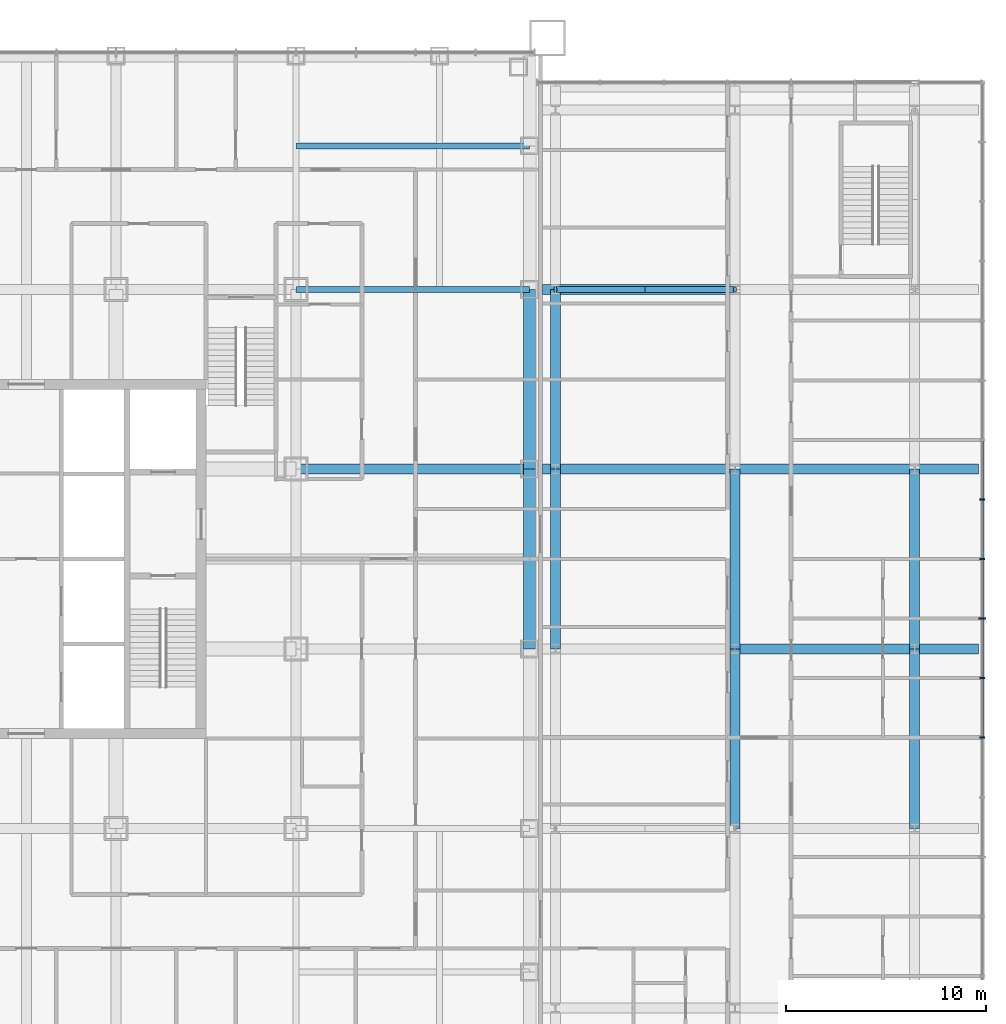
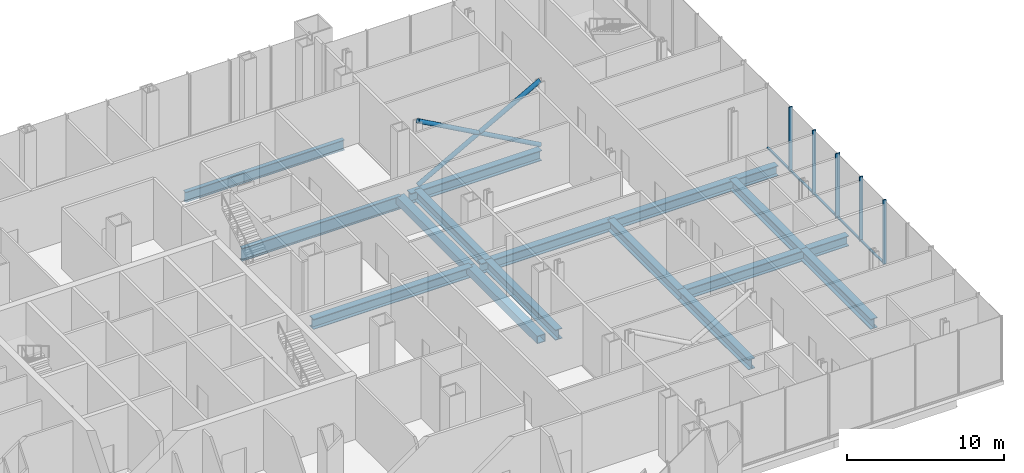
# One storey, part 8 of 25: 15 beams, 12 members, 1 element without a shape of its own.
"""IFC4 building model written with IfcOpenShell, lengths in metres."""

from ifc_helpers import new_model, si_unit, direction, frame, origin, origin_2d, place, context, subcontext, project, spatial, rectangle, hollow_rectangle, hollow_circle, i_section, extrude, material, layer, layer_set, material_profile, profile_set, type_object, element, aggregate, save


model = new_model("IFC4")

# Units and contexts
model_context = context("Model", 3, precision=1e-05, world=origin(), true_north=direction((0.0, 1.0)))
body_context = subcontext(model_context, "Body", "Model", "MODEL_VIEW")
ifc_project = project(units=[si_unit("LENGTHUNIT", "METRE"), si_unit("AREAUNIT", "SQUARE_METRE"), si_unit("VOLUMEUNIT", "CUBIC_METRE"), si_unit("PLANEANGLEUNIT", "RADIAN"), si_unit("MASSUNIT", "GRAM", prefix="KILO")], contexts=[model_context])

# Site, building, storey
site_placement = place(None, origin())
site = spatial("IfcSite", under=ifc_project, at=site_placement, CompositionType="ELEMENT")
building_placement = place(site_placement, origin())
building = spatial("IfcBuilding", under=site, at=building_placement, Name="Malebo Sky Hospital", CompositionType="ELEMENT")
storey_placement = place(building_placement, frame((0.0, 0.0, 6.0)))
storey = spatial("IfcBuildingStorey", under=building, at=storey_placement, Name="L01", CompositionType="ELEMENT", Elevation=6.0)

# Curtain wall, members
ifc_material_1 = material(Name="Anodised aluminium, natural silver", Category="aluminium")
ifc_layer = layer(ifc_material_1, 0.25)
ifc_layer_set = layer_set([ifc_layer], Name="PODIUM CURTAIN WALL")
curtain_wall_type = type_object("IfcCurtainWallType", Name="PODIUM CURTAIN WALL", PredefinedType="NOTDEFINED", material=ifc_layer_set)
curtain_wall_placement = place(storey_placement, origin())
curtain_wall = element("IfcCurtainWall", 1, at=curtain_wall_placement, inside=storey, type_object=curtain_wall_type, Name="POD curtain wall EE", PredefinedType="NOTDEFINED")
ifc_material_profile_1 = material_profile(ifc_material_1, rectangle(XDim=0.14990234375, YDim=0.10009765625, at=origin_2d()), Name="ALUMINIUM TRANSOM 150x100")
ifc_profile_set_1 = profile_set([ifc_material_profile_1], Name="Anodised aluminium, natural silver")
member_type_1 = type_object("IfcMemberType", Name="ALUMINIUM TRANSOM 150x100", PredefinedType="USERDEFINED", material=ifc_profile_set_1)
member_1_placement = place(storey_placement, frame((107.875, 53.08447265625, 0.050048828125), z_axis=(0.0, 1.0, 0.0), x_axis=(-1.0, 0.0, 0.0)))
member_1 = element("IfcMember", 2, at=member_1_placement, type_object=member_type_1, Name="Transom 6", ObjectType="TRANSOM", PredefinedType="USERDEFINED", context=body_context, shape_type="SweptSolid", body=[
    extrude(rectangle(XDim=0.14990234375, YDim=0.10009765625, at=origin_2d()), origin(), (0.0, 0.0, 1.0), 2.9091796875),
])
member_2_placement = place(storey_placement, frame((107.875, 56.068603515625, 0.050048828125), z_axis=(0.0, 1.0, 0.0), x_axis=(-1.0, 0.0, 0.0)))
member_2 = element("IfcMember", 3, at=member_2_placement, type_object=member_type_1, Name="Transom 7", ObjectType="TRANSOM", PredefinedType="USERDEFINED", context=body_context, shape_type="SweptSolid", body=[
    extrude(rectangle(XDim=0.14990234375, YDim=0.10009765625, at=origin_2d()), origin(), (0.0, 0.0, 1.0), 2.909423828125),
])
member_3_placement = place(storey_placement, frame((107.875, 59.052978515625, 0.050048828125), z_axis=(0.0, 1.0, 0.0), x_axis=(-1.0, 0.0, 0.0)))
member_3 = element("IfcMember", 4, at=member_3_placement, type_object=member_type_1, Name="Transom 8", ObjectType="TRANSOM", PredefinedType="USERDEFINED", context=body_context, shape_type="SweptSolid", body=[
    extrude(rectangle(XDim=0.14990234375, YDim=0.10009765625, at=origin_2d()), origin(), (0.0, 0.0, 1.0), 2.909423828125),
])
member_4_placement = place(storey_placement, frame((107.875, 62.03759765625, 0.050048828125), z_axis=(0.0, 1.0, 0.0), x_axis=(-1.0, 0.0, 0.0)))
member_4 = element("IfcMember", 5, at=member_4_placement, type_object=member_type_1, Name="Transom 9", ObjectType="TRANSOM", PredefinedType="USERDEFINED", context=body_context, shape_type="SweptSolid", body=[
    extrude(rectangle(XDim=0.14990234375, YDim=0.10009765625, at=origin_2d()), origin(), (0.0, 0.0, 1.0), 2.909423828125),
])
member_5_placement = place(storey_placement, frame((107.875, 65.02197265625, 0.050048828125), z_axis=(0.0, 1.0, 0.0), x_axis=(-1.0, 0.0, 0.0)))
member_5 = element("IfcMember", 6, at=member_5_placement, type_object=member_type_1, Name="Transom 10", ObjectType="TRANSOM", PredefinedType="USERDEFINED", context=body_context, shape_type="SweptSolid", body=[
    extrude(rectangle(XDim=0.14990234375, YDim=0.10009765625, at=origin_2d()), origin(), (0.0, 0.0, 1.0), 2.909423828125),
])
ifc_material_profile_2 = material_profile(ifc_material_1, rectangle(XDim=0.074951171875, YDim=0.25, at=origin_2d()), Name="CW3 ALUMINIUM FIN MULLION 75x250")
ifc_profile_set_2 = profile_set([ifc_material_profile_2], Name="Anodised aluminium, natural silver")
member_type_2 = type_object("IfcMemberType", Name="CW3 ALUMINIUM FIN MULLION 75x250", PredefinedType="MULLION", material=ifc_profile_set_2)
member_6_placement = place(storey_placement, frame((107.875, 53.046875, 0.0), z_axis=(0.0, 0.0, 1.0), x_axis=(0.0, 1.0, 0.0)))
member_6 = element("IfcMember", 7, at=member_6_placement, type_object=member_type_2, Name="Fin mullion 6", PredefinedType="MULLION", context=body_context, shape_type="SweptSolid", body=[
    extrude(rectangle(XDim=0.074951171875, YDim=0.25, at=origin_2d()), origin(), (0.0, 0.0, 1.0), 5.0),
])
member_7_placement = place(storey_placement, frame((107.875, 56.03125, 0.0), z_axis=(0.0, 0.0, 1.0), x_axis=(0.0, 1.0, 0.0)))
member_7 = element("IfcMember", 8, at=member_7_placement, type_object=member_type_2, Name="Fin mullion 7", PredefinedType="MULLION", context=body_context, shape_type="SweptSolid", body=[
    extrude(rectangle(XDim=0.074951171875, YDim=0.25, at=origin_2d()), origin(), (0.0, 0.0, 1.0), 5.0),
])
member_8_placement = place(storey_placement, frame((107.875, 62.0, 0.0), z_axis=(0.0, 0.0, 1.0), x_axis=(0.0, 1.0, 0.0)))
member_8 = element("IfcMember", 9, at=member_8_placement, type_object=member_type_2, Name="Fin mullion 9", PredefinedType="MULLION", context=body_context, shape_type="SweptSolid", body=[
    extrude(rectangle(XDim=0.074951171875, YDim=0.25, at=origin_2d()), origin(), (0.0, 0.0, 1.0), 5.0),
])
member_9_placement = place(storey_placement, frame((107.875, 64.984375, 0.0), z_axis=(0.0, 0.0, 1.0), x_axis=(0.0, 1.0, 0.0)))
member_9 = element("IfcMember", 10, at=member_9_placement, type_object=member_type_2, Name="Fin mullion 10", PredefinedType="MULLION", context=body_context, shape_type="SweptSolid", body=[
    extrude(rectangle(XDim=0.074951171875, YDim=0.25, at=origin_2d()), origin(), (0.0, 0.0, 1.0), 5.0),
])
ifc_material_profile_3 = material_profile(ifc_material_1, rectangle(XDim=0.074951171875, YDim=0.35009765625, at=origin_2d()), Name="CW3 ALUMINIUM FIN MULLION 75x350")
ifc_profile_set_3 = profile_set([ifc_material_profile_3], Name="Anodised aluminium, natural silver")
member_type_3 = type_object("IfcMemberType", Name="CW3 ALUMINIUM FIN MULLION 75x350", PredefinedType="MULLION", material=ifc_profile_set_3)
member_10_placement = place(storey_placement, frame((107.875, 59.015625, 0.0), z_axis=(0.0, 0.0, 1.0), x_axis=(0.0, 1.0, 0.0)))
member_10 = element("IfcMember", 11, at=member_10_placement, type_object=member_type_3, Name="Fin mullion 8", PredefinedType="MULLION", context=body_context, shape_type="SweptSolid", body=[
    extrude(rectangle(XDim=0.074951171875, YDim=0.35009765625, at=origin_2d()), origin(), (0.0, 0.0, 1.0), 5.0),
])
aggregate(curtain_wall, [member_6, member_7, member_10, member_8, member_9, member_1, member_2, member_3, member_4, member_5])

# Beams
ifc_material_2 = material(Name="Steel S460", Category="steel")
ifc_material_profile_4 = material_profile(ifc_material_2, hollow_rectangle(XDim=0.60009765625, YDim=0.60009765625, WallThickness=0.0400390625, at=origin_2d()), Name="BOX 600x600x40")
ifc_profile_set_4 = profile_set([ifc_material_profile_4], Name="Steel S460")
beam_type_1 = type_object("IfcBeamType", Name="EDGE BEAM BOX 600x600x40", PredefinedType="BEAM", material=ifc_profile_set_4)
for number, where, z_axis, x_axis, name in (
    (12, (85.199951171875, 57.5, -0.60009765625), (0.0, 1.0, 0.0), (-1.0, 0.0, 0.0), "Beam 034 L01"),
    (13, (85.199951171875, 66.5, -0.60009765625), (0.0, 1.0, 0.0), (-1.0, 0.0, 0.0), "Beam 035 L01"),
):
    element("IfcBeam", number, at=place(storey_placement, frame(where, z_axis=z_axis, x_axis=x_axis)), inside=storey, type_object=beam_type_1, Name=name, PredefinedType="BEAM", context=body_context, shape_type="SweptSolid", body=[
        extrude(hollow_rectangle(XDim=0.60009765625, YDim=0.60009765625, WallThickness=0.0400390625, at=origin_2d()), origin(), (0.0, 0.0, 1.0), 9.0),
    ])
ifc_material_3 = material(Name="Steel S355", Category="steel")
ifc_material_profile_5 = material_profile(ifc_material_3, i_section(OverallWidth=0.300048828125, OverallDepth=0.800048828125, WebThickness=0.017578125, FlangeThickness=0.032958984375, FilletRadius=0.030029296875, at=origin_2d()), Name="HEB 800")
ifc_profile_set_5 = profile_set([ifc_material_profile_5], Name="Steel S355")
beam_type_2 = type_object("IfcBeamType", Name="FLOOR BEAM HEB 800", PredefinedType="BEAM", material=ifc_profile_set_5)
beam_1_placement = place(storey_placement, frame((73.5, 82.699951171875, -0.699951171875), z_axis=(1.0, 0.0, 0.0), x_axis=(0.0, 1.0, 0.0)))
element("IfcBeam", 14, at=beam_1_placement, inside=storey, type_object=beam_type_2, Name="Beam 068 L01", PredefinedType="BEAM", context=body_context, shape_type="SweptSolid", body=[
    extrude(i_section(OverallWidth=0.300048828125, OverallDepth=0.800048828125, WebThickness=0.017578125, FlangeThickness=0.032958984375, FilletRadius=0.030029296875, at=origin_2d()), origin(), (0.0, 0.0, 1.0), 11.699951171875),
])
ifc_material_profile_6 = material_profile(ifc_material_3, i_section(OverallWidth=0.5, OverallDepth=0.800048828125, WebThickness=0.030029296875, FlangeThickness=0.050048828125, at=origin_2d()), Name="PG 800x500x30x50")
ifc_profile_set_6 = profile_set([ifc_material_profile_6], Name="Steel S355")
beam_type_3 = type_object("IfcBeamType", Name="FLOOR BEAM PG 800x500x30x50", PredefinedType="BEAM", material=ifc_profile_set_6)
beam_2_placement = place(storey_placement, frame((73.5, 66.5, -0.699951171875), z_axis=(1.0, 0.0, 0.0), x_axis=(0.0, 1.0, 0.0)))
element("IfcBeam", 15, at=beam_2_placement, inside=storey, type_object=beam_type_3, Name="Beam 061 L01", PredefinedType="BEAM", context=body_context, shape_type="SweptSolid", body=[
    extrude(i_section(OverallWidth=0.5, OverallDepth=0.800048828125, WebThickness=0.030029296875, FlangeThickness=0.050048828125, at=origin_2d()), origin(), (0.0, 0.0, 1.0), 11.699951171875),
])
for number, where, z_axis, x_axis, name in (
    (16, (86.5, 57.5, -0.699951171875), (0.0, 1.0, 0.0), (-1.0, 0.0, 0.0), "Beam E003 L01"),
    (17, (86.5, 66.5, -0.699951171875), (0.0, 1.0, 0.0), (-1.0, 0.0, 0.0), "Beam E004 L01"),
    (18, (95.5, 48.5, -0.699951171875), (0.0, 1.0, 0.0), (-1.0, 0.0, 0.0), "Beam E007 L01"),
    (19, (95.5, 57.5, -0.699951171875), (0.0, 1.0, 0.0), (-1.0, 0.0, 0.0), "Beam E008 L01"),
    (20, (104.5, 48.5, -0.699951171875), (0.0, 1.0, 0.0), (-1.0, 0.0, 0.0), "Beam E012 L01"),
    (21, (104.5, 57.5, -0.699951171875), (0.0, 1.0, 0.0), (-1.0, 0.0, 0.0), "Beam E013 L01"),
):
    element("IfcBeam", number, at=place(storey_placement, frame(where, z_axis=z_axis, x_axis=x_axis)), inside=storey, type_object=beam_type_3, Name=name, PredefinedType="BEAM", context=body_context, shape_type="SweptSolid", body=[
        extrude(i_section(OverallWidth=0.5, OverallDepth=0.800048828125, WebThickness=0.030029296875, FlangeThickness=0.050048828125, at=origin_2d()), origin(), (0.0, 0.0, 1.0), 9.0),
    ])
beam_3_placement = place(storey_placement, frame((95.5, 57.5, -0.699951171875), z_axis=(1.0, 0.0, 0.0), x_axis=(0.0, 1.0, 0.0)))
element("IfcBeam", 22, at=beam_3_placement, inside=storey, type_object=beam_type_3, Name="Beam E021 L01", PredefinedType="BEAM", context=body_context, shape_type="SweptSolid", body=[
    extrude(i_section(OverallWidth=0.5, OverallDepth=0.800048828125, WebThickness=0.030029296875, FlangeThickness=0.050048828125, at=origin_2d()), origin(), (0.0, 0.0, 1.0), 12.199951171875),
])
beam_4_placement = place(storey_placement, frame((85.85009765625, 66.5, -0.699951171875), z_axis=(1.0, 0.0, 0.0), x_axis=(0.0, 1.0, 0.0)))
element("IfcBeam", 23, at=beam_4_placement, inside=storey, type_object=beam_type_3, Name="Beam E022 L01", PredefinedType="BEAM", context=body_context, shape_type="SweptSolid", body=[
    extrude(i_section(OverallWidth=0.5, OverallDepth=0.800048828125, WebThickness=0.030029296875, FlangeThickness=0.050048828125, at=origin_2d()), origin(), (0.0, 0.0, 1.0), 9.64990234375),
])
beam_5_placement = place(storey_placement, frame((95.5, 66.5, -0.699951171875), z_axis=(1.0, 0.0, 0.0), x_axis=(0.0, 1.0, 0.0)))
element("IfcBeam", 24, at=beam_5_placement, inside=storey, type_object=beam_type_3, Name="Beam E023 L01", PredefinedType="BEAM", context=body_context, shape_type="SweptSolid", body=[
    extrude(i_section(OverallWidth=0.5, OverallDepth=0.800048828125, WebThickness=0.030029296875, FlangeThickness=0.050048828125, at=origin_2d()), origin(), (0.0, 0.0, 1.0), 12.199951171875),
])
beam_6_placement = place(storey_placement, frame((85.85009765625, 75.5, -0.699951171875), z_axis=(1.0, 0.0, 0.0), x_axis=(0.0, 1.0, 0.0)))
element("IfcBeam", 25, at=beam_6_placement, inside=storey, type_object=beam_type_3, Name="Beam E024 L01", PredefinedType="BEAM", context=body_context, shape_type="SweptSolid", body=[
    extrude(i_section(OverallWidth=0.5, OverallDepth=0.800048828125, WebThickness=0.030029296875, FlangeThickness=0.050048828125, at=origin_2d()), origin(), (0.0, 0.0, 1.0), 9.64990234375),
])
ifc_material_profile_7 = material_profile(ifc_material_3, i_section(OverallWidth=0.300048828125, OverallDepth=1.0, WebThickness=0.01904296875, FlangeThickness=0.035888671875, FilletRadius=0.030029296875, at=origin_2d()), Name="HEB 1000")
ifc_profile_set_7 = profile_set([ifc_material_profile_7], Name="Steel S355")
beam_type_4 = type_object("IfcBeamType", Name="FLOOR GIRDER HEB 1000", PredefinedType="BEAM", material=ifc_profile_set_7)
beam_7_placement = place(storey_placement, frame((73.5, 75.5, -0.800048828125), z_axis=(1.0, 0.0, 0.0), x_axis=(0.0, 1.0, 0.0)))
element("IfcBeam", 26, at=beam_7_placement, inside=storey, type_object=beam_type_4, Name="Beam 066 L01", PredefinedType="BEAM", context=body_context, shape_type="SweptSolid", body=[
    extrude(i_section(OverallWidth=0.300048828125, OverallDepth=1.0, WebThickness=0.01904296875, FlangeThickness=0.035888671875, FilletRadius=0.030029296875, at=origin_2d()), origin(), (0.0, 0.0, 1.0), 11.699951171875),
])

# Members
ifc_material_profile_8 = material_profile(ifc_material_2, hollow_circle(Radius=0.161865234375, WallThickness=0.012451171875, at=origin_2d()), Name="CHS 323.9x12.5")
ifc_profile_set_8 = profile_set([ifc_material_profile_8], Name="Steel S460")
member_type_4 = type_object("IfcMemberType", Name="WING BRACE CHS 323.9x12.5", PredefinedType="BRACE", material=ifc_profile_set_8)
for number, where, z_axis, x_axis, name in (
    (27, (86.5, 75.5, 0.0), (0.874157276122, 0.0, 0.485642931179), (0.0, 1.0, 0.0), "Wing brace E3.1 L01"),
    (28, (95.5, 75.5, 0.0), (-0.874157276122, 0.0, 0.485642931179), (0.0, -1.0, 0.0), "Wing brace E3.2 L01"),
):
    element("IfcMember", number, at=place(storey_placement, frame(where, z_axis=z_axis, x_axis=x_axis)), inside=storey, type_object=member_type_4, Name=name, PredefinedType="BRACE", context=body_context, shape_type="SweptSolid", body=[
        extrude(hollow_circle(Radius=0.161865234375, WallThickness=0.012451171875, at=origin_2d()), origin(), (0.0, 0.0, 1.0), 10.295654296875),
    ])

save(model, "model.ifc")
